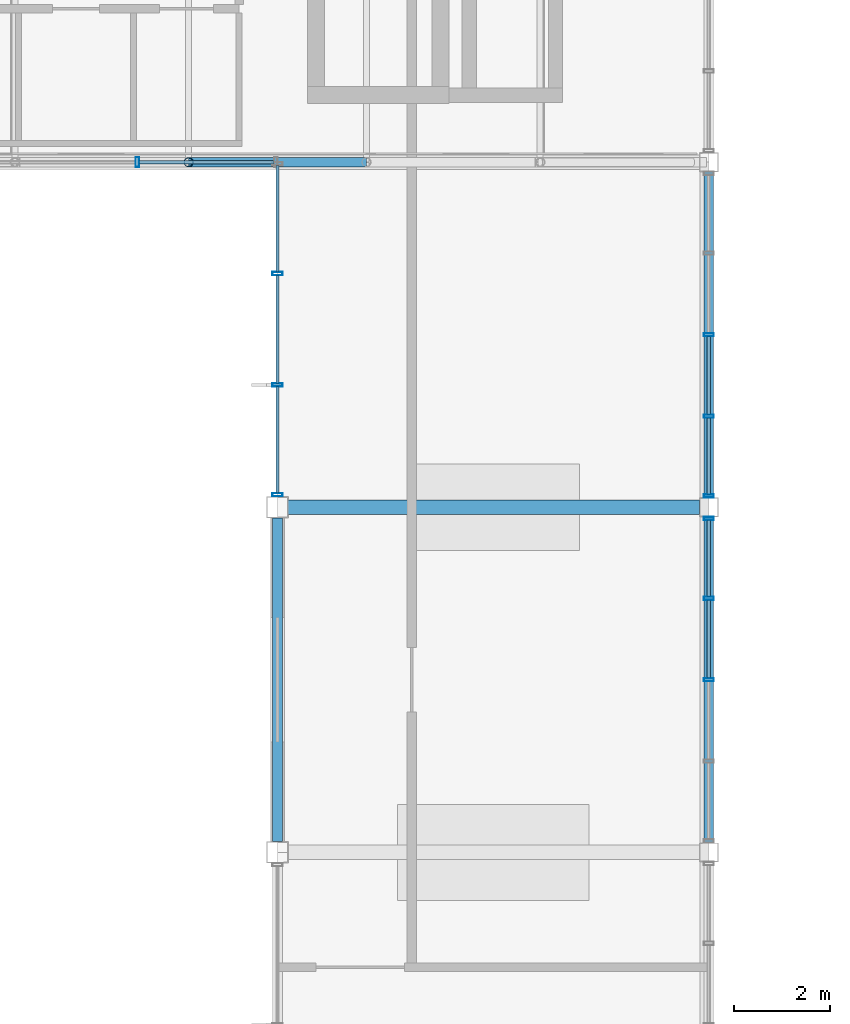
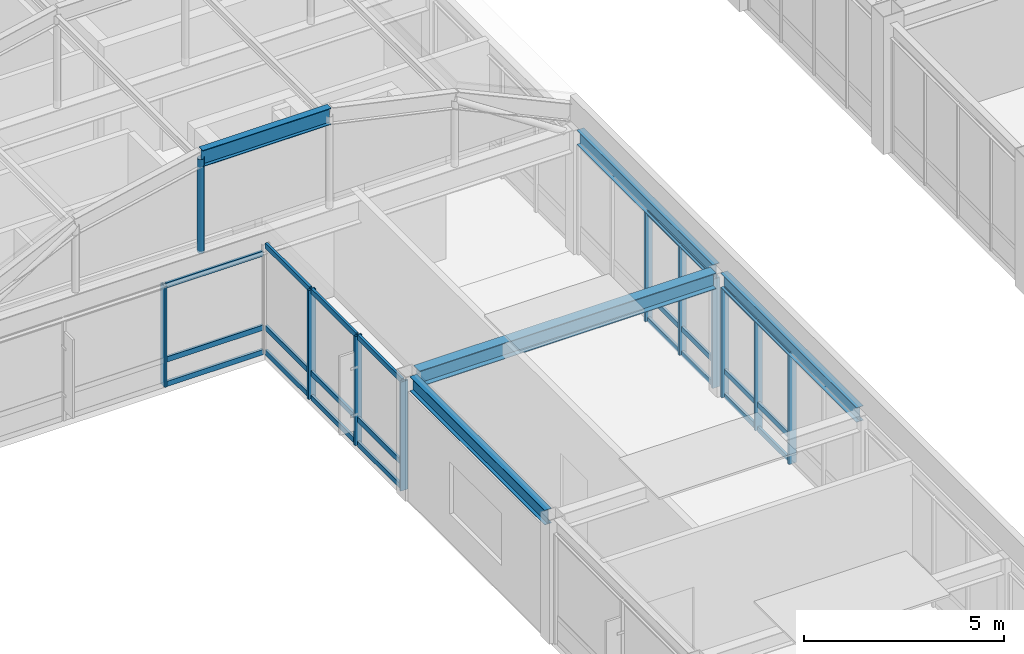
# One storey, part 41 of 106: 36 members, 4 beams, 4 elements without a shape of their own.
"""IFC4 building model written with IfcOpenShell, lengths in metres."""

from ifc_helpers import new_model, si_unit, direction, frame, origin, origin_2d, place, context, subcontext, project, spatial, hollow_rectangle, hollow_circle, i_section, extrude, material, material_profile, profile_set, type_object, element, aggregate, save


model = new_model("IFC4")

# Units and contexts
model_context = context("Model", 3, precision=1e-05, world=origin(), true_north=direction((0.0, 1.0)))
body_context = subcontext(model_context, "Body", "Model", "MODEL_VIEW")
ifc_project = project(units=[si_unit("LENGTHUNIT", "METRE"), si_unit("AREAUNIT", "SQUARE_METRE"), si_unit("VOLUMEUNIT", "CUBIC_METRE"), si_unit("PLANEANGLEUNIT", "RADIAN"), si_unit("MASSUNIT", "GRAM", prefix="KILO")], contexts=[model_context])

# Site, building, storey
site_placement = place(None, origin())
site = spatial("IfcSite", under=ifc_project, at=site_placement, CompositionType="ELEMENT")
building_placement = place(site_placement, origin())
building = spatial("IfcBuilding", under=site, at=building_placement, Name="Kazanami Central Library", CompositionType="ELEMENT")
storey_placement = place(building_placement, frame((0.0, 0.0, 12.800048828125)))
storey = spatial("IfcBuildingStorey", under=building, at=storey_placement, Name="L04", CompositionType="ELEMENT", Elevation=12.800048828125)

# Beams
ifc_material_1 = material(Name="Steel SN490B (325 MPa)", Category="steel")
ifc_material_profile_1 = material_profile(ifc_material_1, i_section(OverallWidth=0.300048828125, OverallDepth=0.488037109375, WebThickness=0.010986328125, FlangeThickness=0.01806640625, at=origin_2d()), Name="H-488x300x11x18")
ifc_profile_set_1 = profile_set([ifc_material_profile_1], Name="Steel SN490B (325 MPa)")
beam_type_1 = type_object("IfcBeamType", Name="BM-G-X5", PredefinedType="BEAM", material=ifc_profile_set_1)
beam_1_placement = place(storey_placement, frame((99.222900390625, 57.60009765625, 3.535888671875), z_axis=(1.0, 0.0, 0.0), x_axis=(0.0, 1.0, 0.0)))
element("IfcBeam", 1, at=beam_1_placement, inside=storey, type_object=beam_type_1, Name="Girder G-X5 L04 J/12-13", PredefinedType="BEAM", context=body_context, shape_type="SweptSolid", body=[
    extrude(i_section(OverallWidth=0.300048828125, OverallDepth=0.488037109375, WebThickness=0.010986328125, FlangeThickness=0.01806640625, at=origin_2d()), origin(), (0.0, 0.0, 1.0), 8.5791015625),
])
ifc_material_profile_2 = material_profile(ifc_material_1, i_section(OverallWidth=0.199951171875, OverallDepth=0.449951171875, WebThickness=0.009033203125, FlangeThickness=0.013916015625, at=origin_2d()), Name="H-450x200x9x14")
ifc_profile_set_2 = profile_set([ifc_material_profile_2], Name="Steel SN490B (325 MPa)")
beam_type_2 = type_object("IfcBeamType", Name="BM-SP-2", PredefinedType="SPANDREL", material=ifc_profile_set_2)
beam_2_placement = place(storey_placement, frame((99.0, 50.623046875, 3.554931640625), z_axis=(0.0, 1.0, 0.0), x_axis=(-1.0, 0.0, 0.0)))
element("IfcBeam", 2, at=beam_2_placement, inside=storey, type_object=beam_type_2, Name="Girder SP-2 L04 12/H-J", PredefinedType="SPANDREL", context=body_context, shape_type="SweptSolid", body=[
    extrude(i_section(OverallWidth=0.199951171875, OverallDepth=0.449951171875, WebThickness=0.009033203125, FlangeThickness=0.013916015625, at=origin_2d()), origin(), (0.0, 0.0, 1.0), 6.75390625),
])
beam_3_placement = place(storey_placement, frame((108.0, 50.597900390625, 3.554931640625), z_axis=(0.0, 1.0, 0.0), x_axis=(-1.0, 0.0, 0.0)))
element("IfcBeam", 3, at=beam_3_placement, inside=storey, type_object=beam_type_2, Name="Girder SP-2 L04 13/H-J", PredefinedType="SPANDREL", context=body_context, shape_type="SweptSolid", body=[
    extrude(i_section(OverallWidth=0.199951171875, OverallDepth=0.449951171875, WebThickness=0.009033203125, FlangeThickness=0.013916015625, at=origin_2d()), origin(), (0.0, 0.0, 1.0), 6.80419921875),
])
beam_4_placement = place(storey_placement, frame((108.0, 57.798095703125, 3.554931640625), z_axis=(0.0, 1.0, 0.0), x_axis=(-1.0, 0.0, 0.0)))
element("IfcBeam", 4, at=beam_4_placement, inside=storey, type_object=beam_type_2, Name="Girder SP-2 L04 13/J-K", PredefinedType="SPANDREL", context=body_context, shape_type="SweptSolid", body=[
    extrude(i_section(OverallWidth=0.199951171875, OverallDepth=0.449951171875, WebThickness=0.009033203125, FlangeThickness=0.013916015625, at=origin_2d()), origin(), (0.0, 0.0, 1.0), 6.803955078125),
])

# Member
ifc_material_profile_3 = material_profile(ifc_material_1, i_section(OverallWidth=0.199951171875, OverallDepth=0.5, WebThickness=0.010009765625, FlangeThickness=0.01611328125, at=origin_2d()), Name="H-500x200x10x16")
ifc_profile_set_3 = profile_set([ifc_material_profile_3], Name="Steel SN490B (325 MPa)")
member_type_1 = type_object("IfcMemberType", Name="MEM-AR-02", PredefinedType="CHORD", material=ifc_profile_set_3)
member_1_placement = place(storey_placement, frame((97.14453125, 64.800048828125, 6.604736328125), z_axis=(1.0, 0.0, 0.0), x_axis=(0.0, 1.0, 0.0)))
element("IfcMember", 5, at=member_1_placement, inside=storey, type_object=member_type_1, Name="Barrel Vault Arch Rib AR-02 VAULT-EAST Grid K Seg 3", PredefinedType="CHORD", context=body_context, shape_type="SweptSolid", body=[
    extrude(i_section(OverallWidth=0.199951171875, OverallDepth=0.5, WebThickness=0.010009765625, FlangeThickness=0.01611328125, at=origin_2d()), origin(), (0.0, 0.0, 1.0), 3.7109375),
])

# Curtain wall, member
ifc_material_2 = material(Name="Acid-Etched Low-E Laminated Glass", Category="glass")
curtain_wall_type_1 = type_object("IfcCurtainWallType", Name="CW-8775x3080-M275", PredefinedType="USERDEFINED", material=ifc_material_2)
curtain_wall_1_placement = place(storey_placement, origin())
curtain_wall_1 = element("IfcCurtainWall", 6, at=curtain_wall_1_placement, inside=storey, type_object=curtain_wall_type_1, Name="Unitised Curtain Wall CW-40 L04 S-K-10", ObjectType="UNITISED CURTAIN WALL", PredefinedType="USERDEFINED")
ifc_material_3 = material(Name="Anodised Aluminium A6063-T5", Category="aluminium")
ifc_material_profile_4 = material_profile(ifc_material_3, hollow_rectangle(XDim=0.070068359375, YDim=0.2099609375, WallThickness=0.0048828125, at=origin_2d()), Name="ALU-MULL-70x210x5")
ifc_profile_set_4 = profile_set([ifc_material_profile_4], Name="Anodised Aluminium A6063-T5")
member_type_2 = type_object("IfcMemberType", Name="MEM-CW-M1", PredefinedType="MULLION", material=ifc_profile_set_4)
member_2_placement = place(storey_placement, frame((96.074951171875, 64.800048828125, 0.0), z_axis=(0.0, 0.0, 1.0), x_axis=(1.0, 0.0, 0.0)))
member_2 = element("IfcMember", 7, at=member_2_placement, type_object=member_type_2, Name="CW-40 mullion 3", PredefinedType="MULLION", context=body_context, shape_type="SweptSolid", body=[
    extrude(hollow_rectangle(XDim=0.070068359375, YDim=0.2099609375, WallThickness=0.0048828125, at=origin_2d()), origin(), (0.0, 0.0, 1.0), 3.079833984375),
])

# Curtain wall, members
curtain_wall_type_2 = type_object("IfcCurtainWallType", Name="CW-6975x3330-M275", PredefinedType="USERDEFINED", material=ifc_material_2)
curtain_wall_2_placement = place(storey_placement, origin())
curtain_wall_2 = element("IfcCurtainWall", 8, at=curtain_wall_2_placement, inside=storey, type_object=curtain_wall_type_2, Name="Unitised Curtain Wall CW-46 L04 W-12-08", ObjectType="UNITISED CURTAIN WALL", PredefinedType="USERDEFINED")
member_3_placement = place(storey_placement, frame((99.0, 57.860107421875, 0.0), z_axis=(0.0, 0.0, 1.0), x_axis=(0.0, 1.0, 0.0)))
member_3 = element("IfcMember", 9, at=member_3_placement, type_object=member_type_2, Name="CW-46 mullion 1", PredefinedType="MULLION", context=body_context, shape_type="SweptSolid", body=[
    extrude(hollow_rectangle(XDim=0.070068359375, YDim=0.2099609375, WallThickness=0.0048828125, at=origin_2d()), origin(), (0.0, 0.0, 1.0), 3.329833984375),
])
member_4_placement = place(storey_placement, frame((99.0, 60.14990234375, 0.0), z_axis=(0.0, 0.0, 1.0), x_axis=(0.0, 1.0, 0.0)))
member_4 = element("IfcMember", 10, at=member_4_placement, type_object=member_type_2, Name="CW-46 mullion 2", PredefinedType="MULLION", context=body_context, shape_type="SweptSolid", body=[
    extrude(hollow_rectangle(XDim=0.070068359375, YDim=0.2099609375, WallThickness=0.0048828125, at=origin_2d()), origin(), (0.0, 0.0, 1.0), 3.329833984375),
])
member_5_placement = place(storey_placement, frame((99.0, 62.47509765625, 0.0), z_axis=(0.0, 0.0, 1.0), x_axis=(0.0, 1.0, 0.0)))
member_5 = element("IfcMember", 11, at=member_5_placement, type_object=member_type_2, Name="CW-46 mullion 3", PredefinedType="MULLION", context=body_context, shape_type="SweptSolid", body=[
    extrude(hollow_rectangle(XDim=0.070068359375, YDim=0.2099609375, WallThickness=0.0048828125, at=origin_2d()), origin(), (0.0, 0.0, 1.0), 3.329833984375),
])

curtain_wall_type_3 = type_object("IfcCurtainWallType", Name="CW-6800x3330-M180", PredefinedType="USERDEFINED", material=ifc_material_2)
curtain_wall_3_placement = place(storey_placement, origin())
curtain_wall_3 = element("IfcCurtainWall", 12, at=curtain_wall_3_placement, inside=storey, type_object=curtain_wall_type_3, Name="Covered Link Bridge Curtain Wall CW-44 L04 E-13-07", ObjectType="UNITISED CURTAIN WALL", PredefinedType="USERDEFINED")
member_6_placement = place(storey_placement, frame((108.0, 57.364990234375, 0.0), z_axis=(0.0, 0.0, 1.0), x_axis=(0.0, -1.0, 0.0)))
member_6 = element("IfcMember", 13, at=member_6_placement, type_object=member_type_2, Name="CW-44 mullion 1", PredefinedType="MULLION", context=body_context, shape_type="SweptSolid", body=[
    extrude(hollow_rectangle(XDim=0.070068359375, YDim=0.2099609375, WallThickness=0.0048828125, at=origin_2d()), origin(), (0.0, 0.0, 1.0), 3.329833984375),
])
member_7_placement = place(storey_placement, frame((108.0, 55.699951171875, 0.0), z_axis=(0.0, 0.0, 1.0), x_axis=(0.0, -1.0, 0.0)))
member_7 = element("IfcMember", 14, at=member_7_placement, type_object=member_type_2, Name="CW-44 mullion 2", PredefinedType="MULLION", context=body_context, shape_type="SweptSolid", body=[
    extrude(hollow_rectangle(XDim=0.070068359375, YDim=0.2099609375, WallThickness=0.0048828125, at=origin_2d()), origin(), (0.0, 0.0, 1.0), 3.329833984375),
])
member_8_placement = place(storey_placement, frame((108.0, 54.0, 0.0), z_axis=(0.0, 0.0, 1.0), x_axis=(0.0, -1.0, 0.0)))
member_8 = element("IfcMember", 15, at=member_8_placement, type_object=member_type_2, Name="CW-44 mullion 3", PredefinedType="MULLION", context=body_context, shape_type="SweptSolid", body=[
    extrude(hollow_rectangle(XDim=0.070068359375, YDim=0.2099609375, WallThickness=0.0048828125, at=origin_2d()), origin(), (0.0, 0.0, 1.0), 3.329833984375),
])

curtain_wall_4_placement = place(storey_placement, origin())
curtain_wall_4 = element("IfcCurtainWall", 16, at=curtain_wall_4_placement, inside=storey, type_object=curtain_wall_type_3, Name="Covered Link Bridge Curtain Wall CW-44 L04 E-13-08", ObjectType="UNITISED CURTAIN WALL", PredefinedType="USERDEFINED")
member_9_placement = place(storey_placement, frame((108.0, 61.199951171875, 0.0), z_axis=(0.0, 0.0, 1.0), x_axis=(0.0, -1.0, 0.0)))
member_9 = element("IfcMember", 17, at=member_9_placement, type_object=member_type_2, Name="CW-44 mullion 3", PredefinedType="MULLION", context=body_context, shape_type="SweptSolid", body=[
    extrude(hollow_rectangle(XDim=0.070068359375, YDim=0.2099609375, WallThickness=0.0048828125, at=origin_2d()), origin(), (0.0, 0.0, 1.0), 3.329833984375),
])
member_10_placement = place(storey_placement, frame((108.0, 59.5, 0.0), z_axis=(0.0, 0.0, 1.0), x_axis=(0.0, -1.0, 0.0)))
member_10 = element("IfcMember", 18, at=member_10_placement, type_object=member_type_2, Name="CW-44 mullion 4", PredefinedType="MULLION", context=body_context, shape_type="SweptSolid", body=[
    extrude(hollow_rectangle(XDim=0.070068359375, YDim=0.2099609375, WallThickness=0.0048828125, at=origin_2d()), origin(), (0.0, 0.0, 1.0), 3.329833984375),
])
member_11_placement = place(storey_placement, frame((108.0, 57.8349609375, 0.0), z_axis=(0.0, 0.0, 1.0), x_axis=(0.0, -1.0, 0.0)))
member_11 = element("IfcMember", 19, at=member_11_placement, type_object=member_type_2, Name="CW-44 mullion 5", PredefinedType="MULLION", context=body_context, shape_type="SweptSolid", body=[
    extrude(hollow_rectangle(XDim=0.070068359375, YDim=0.2099609375, WallThickness=0.0048828125, at=origin_2d()), origin(), (0.0, 0.0, 1.0), 3.329833984375),
])

# Member
ifc_material_profile_5 = material_profile(ifc_material_3, hollow_rectangle(XDim=0.070068359375, YDim=0.159912109375, WallThickness=0.00390625, at=origin_2d()), Name="ALU-TRAN-70x160x4")
ifc_profile_set_5 = profile_set([ifc_material_profile_5], Name="Anodised Aluminium A6063-T5")
member_type_3 = type_object("IfcMemberType", Name="MEM-CW-T1", PredefinedType="USERDEFINED", material=ifc_profile_set_5)
member_12_placement = place(storey_placement, frame((96.110107421875, 64.800048828125, 0.034912109375), z_axis=(1.0, 0.0, 0.0), x_axis=(0.0, 1.0, 0.0)))
member_12 = element("IfcMember", 20, at=member_12_placement, type_object=member_type_3, Name="CW-40 transom 3.1", ObjectType="TRANSOM", PredefinedType="USERDEFINED", context=body_context, shape_type="SweptSolid", body=[
    extrude(hollow_rectangle(XDim=0.070068359375, YDim=0.159912109375, WallThickness=0.00390625, at=origin_2d()), origin(), (0.0, 0.0, 1.0), 2.81982421875),
])

member_13_placement = place(storey_placement, frame((96.110107421875, 64.800048828125, 0.780029296875), z_axis=(1.0, 0.0, 0.0), x_axis=(0.0, 1.0, 0.0)))
member_13 = element("IfcMember", 21, at=member_13_placement, type_object=member_type_3, Name="CW-40 transom 3.2", ObjectType="TRANSOM", PredefinedType="USERDEFINED", context=body_context, shape_type="SweptSolid", body=[
    extrude(hollow_rectangle(XDim=0.070068359375, YDim=0.159912109375, WallThickness=0.00390625, at=origin_2d()), origin(), (0.0, 0.0, 1.0), 2.81982421875),
])

member_14_placement = place(storey_placement, frame((96.110107421875, 64.800048828125, 3.044921875), z_axis=(1.0, 0.0, 0.0), x_axis=(0.0, 1.0, 0.0)))
member_14 = element("IfcMember", 22, at=member_14_placement, type_object=member_type_3, Name="CW-40 transom 3.3", ObjectType="TRANSOM", PredefinedType="USERDEFINED", context=body_context, shape_type="SweptSolid", body=[
    extrude(hollow_rectangle(XDim=0.070068359375, YDim=0.159912109375, WallThickness=0.00390625, at=origin_2d()), origin(), (0.0, 0.0, 1.0), 2.81982421875),
])

aggregate(curtain_wall_1, [member_2, member_12, member_13, member_14])

member_15_placement = place(storey_placement, frame((99.0, 57.89501953125, 0.034912109375), z_axis=(0.0, 1.0, 0.0), x_axis=(-1.0, 0.0, 0.0)))
member_15 = element("IfcMember", 23, at=member_15_placement, type_object=member_type_3, Name="CW-46 transom 1.1", ObjectType="TRANSOM", PredefinedType="USERDEFINED", context=body_context, shape_type="SweptSolid", body=[
    extrude(hollow_rectangle(XDim=0.070068359375, YDim=0.159912109375, WallThickness=0.00390625, at=origin_2d()), origin(), (0.0, 0.0, 1.0), 2.219970703125),
])

member_16_placement = place(storey_placement, frame((99.0, 57.89501953125, 0.780029296875), z_axis=(0.0, 1.0, 0.0), x_axis=(-1.0, 0.0, 0.0)))
member_16 = element("IfcMember", 24, at=member_16_placement, type_object=member_type_3, Name="CW-46 transom 1.2", ObjectType="TRANSOM", PredefinedType="USERDEFINED", context=body_context, shape_type="SweptSolid", body=[
    extrude(hollow_rectangle(XDim=0.070068359375, YDim=0.159912109375, WallThickness=0.00390625, at=origin_2d()), origin(), (0.0, 0.0, 1.0), 2.219970703125),
])

member_17_placement = place(storey_placement, frame((99.0, 57.89501953125, 3.294921875), z_axis=(0.0, 1.0, 0.0), x_axis=(-1.0, 0.0, 0.0)))
member_17 = element("IfcMember", 25, at=member_17_placement, type_object=member_type_3, Name="CW-46 transom 1.3", ObjectType="TRANSOM", PredefinedType="USERDEFINED", context=body_context, shape_type="SweptSolid", body=[
    extrude(hollow_rectangle(XDim=0.070068359375, YDim=0.159912109375, WallThickness=0.00390625, at=origin_2d()), origin(), (0.0, 0.0, 1.0), 2.219970703125),
])

member_18_placement = place(storey_placement, frame((99.0, 60.18505859375, 0.034912109375), z_axis=(0.0, 1.0, 0.0), x_axis=(-1.0, 0.0, 0.0)))
member_18 = element("IfcMember", 26, at=member_18_placement, type_object=member_type_3, Name="CW-46 transom 2.1", ObjectType="TRANSOM", PredefinedType="USERDEFINED", context=body_context, shape_type="SweptSolid", body=[
    extrude(hollow_rectangle(XDim=0.070068359375, YDim=0.159912109375, WallThickness=0.00390625, at=origin_2d()), origin(), (0.0, 0.0, 1.0), 2.2548828125),
])

member_19_placement = place(storey_placement, frame((99.0, 60.18505859375, 0.780029296875), z_axis=(0.0, 1.0, 0.0), x_axis=(-1.0, 0.0, 0.0)))
member_19 = element("IfcMember", 27, at=member_19_placement, type_object=member_type_3, Name="CW-46 transom 2.2", ObjectType="TRANSOM", PredefinedType="USERDEFINED", context=body_context, shape_type="SweptSolid", body=[
    extrude(hollow_rectangle(XDim=0.070068359375, YDim=0.159912109375, WallThickness=0.00390625, at=origin_2d()), origin(), (0.0, 0.0, 1.0), 2.2548828125),
])

member_20_placement = place(storey_placement, frame((99.0, 60.18505859375, 3.294921875), z_axis=(0.0, 1.0, 0.0), x_axis=(-1.0, 0.0, 0.0)))
member_20 = element("IfcMember", 28, at=member_20_placement, type_object=member_type_3, Name="CW-46 transom 2.3", ObjectType="TRANSOM", PredefinedType="USERDEFINED", context=body_context, shape_type="SweptSolid", body=[
    extrude(hollow_rectangle(XDim=0.070068359375, YDim=0.159912109375, WallThickness=0.00390625, at=origin_2d()), origin(), (0.0, 0.0, 1.0), 2.2548828125),
])

member_21_placement = place(storey_placement, frame((99.0, 62.510009765625, 0.034912109375), z_axis=(0.0, 1.0, 0.0), x_axis=(-1.0, 0.0, 0.0)))
member_21 = element("IfcMember", 29, at=member_21_placement, type_object=member_type_3, Name="CW-46 transom 3.1", ObjectType="TRANSOM", PredefinedType="USERDEFINED", context=body_context, shape_type="SweptSolid", body=[
    extrude(hollow_rectangle(XDim=0.070068359375, YDim=0.159912109375, WallThickness=0.00390625, at=origin_2d()), origin(), (0.0, 0.0, 1.0), 2.219970703125),
])

member_22_placement = place(storey_placement, frame((99.0, 62.510009765625, 0.780029296875), z_axis=(0.0, 1.0, 0.0), x_axis=(-1.0, 0.0, 0.0)))
member_22 = element("IfcMember", 30, at=member_22_placement, type_object=member_type_3, Name="CW-46 transom 3.2", ObjectType="TRANSOM", PredefinedType="USERDEFINED", context=body_context, shape_type="SweptSolid", body=[
    extrude(hollow_rectangle(XDim=0.070068359375, YDim=0.159912109375, WallThickness=0.00390625, at=origin_2d()), origin(), (0.0, 0.0, 1.0), 2.219970703125),
])

member_23_placement = place(storey_placement, frame((99.0, 62.510009765625, 3.294921875), z_axis=(0.0, 1.0, 0.0), x_axis=(-1.0, 0.0, 0.0)))
member_23 = element("IfcMember", 31, at=member_23_placement, type_object=member_type_3, Name="CW-46 transom 3.3", ObjectType="TRANSOM", PredefinedType="USERDEFINED", context=body_context, shape_type="SweptSolid", body=[
    extrude(hollow_rectangle(XDim=0.070068359375, YDim=0.159912109375, WallThickness=0.00390625, at=origin_2d()), origin(), (0.0, 0.0, 1.0), 2.219970703125),
])

aggregate(curtain_wall_2, [member_3, member_4, member_5, member_15, member_16, member_17, member_18, member_19, member_20, member_21, member_22, member_23])

member_24_placement = place(storey_placement, frame((108.0, 57.330078125, 0.034912109375), z_axis=(0.0, -1.0, 0.0), x_axis=(1.0, 0.0, 0.0)))
member_24 = element("IfcMember", 32, at=member_24_placement, type_object=member_type_3, Name="CW-44 transom 1.1", ObjectType="TRANSOM", PredefinedType="USERDEFINED", context=body_context, shape_type="SweptSolid", body=[
    extrude(hollow_rectangle(XDim=0.070068359375, YDim=0.159912109375, WallThickness=0.00390625, at=origin_2d()), origin(), (0.0, 0.0, 1.0), 1.594970703125),
])

member_25_placement = place(storey_placement, frame((108.0, 57.330078125, 0.780029296875), z_axis=(0.0, -1.0, 0.0), x_axis=(1.0, 0.0, 0.0)))
member_25 = element("IfcMember", 33, at=member_25_placement, type_object=member_type_3, Name="CW-44 transom 1.2", ObjectType="TRANSOM", PredefinedType="USERDEFINED", context=body_context, shape_type="SweptSolid", body=[
    extrude(hollow_rectangle(XDim=0.070068359375, YDim=0.159912109375, WallThickness=0.00390625, at=origin_2d()), origin(), (0.0, 0.0, 1.0), 1.594970703125),
])

member_26_placement = place(storey_placement, frame((108.0, 57.330078125, 3.294921875), z_axis=(0.0, -1.0, 0.0), x_axis=(1.0, 0.0, 0.0)))
member_26 = element("IfcMember", 34, at=member_26_placement, type_object=member_type_3, Name="CW-44 transom 1.3", ObjectType="TRANSOM", PredefinedType="USERDEFINED", context=body_context, shape_type="SweptSolid", body=[
    extrude(hollow_rectangle(XDim=0.070068359375, YDim=0.159912109375, WallThickness=0.00390625, at=origin_2d()), origin(), (0.0, 0.0, 1.0), 1.594970703125),
])

member_27_placement = place(storey_placement, frame((108.0, 55.6650390625, 0.034912109375), z_axis=(0.0, -1.0, 0.0), x_axis=(1.0, 0.0, 0.0)))
member_27 = element("IfcMember", 35, at=member_27_placement, type_object=member_type_3, Name="CW-44 transom 2.1", ObjectType="TRANSOM", PredefinedType="USERDEFINED", context=body_context, shape_type="SweptSolid", body=[
    extrude(hollow_rectangle(XDim=0.070068359375, YDim=0.159912109375, WallThickness=0.00390625, at=origin_2d()), origin(), (0.0, 0.0, 1.0), 1.630126953125),
])

member_28_placement = place(storey_placement, frame((108.0, 55.6650390625, 0.780029296875), z_axis=(0.0, -1.0, 0.0), x_axis=(1.0, 0.0, 0.0)))
member_28 = element("IfcMember", 36, at=member_28_placement, type_object=member_type_3, Name="CW-44 transom 2.2", ObjectType="TRANSOM", PredefinedType="USERDEFINED", context=body_context, shape_type="SweptSolid", body=[
    extrude(hollow_rectangle(XDim=0.070068359375, YDim=0.159912109375, WallThickness=0.00390625, at=origin_2d()), origin(), (0.0, 0.0, 1.0), 1.630126953125),
])

member_29_placement = place(storey_placement, frame((108.0, 55.6650390625, 3.294921875), z_axis=(0.0, -1.0, 0.0), x_axis=(1.0, 0.0, 0.0)))
member_29 = element("IfcMember", 37, at=member_29_placement, type_object=member_type_3, Name="CW-44 transom 2.3", ObjectType="TRANSOM", PredefinedType="USERDEFINED", context=body_context, shape_type="SweptSolid", body=[
    extrude(hollow_rectangle(XDim=0.070068359375, YDim=0.159912109375, WallThickness=0.00390625, at=origin_2d()), origin(), (0.0, 0.0, 1.0), 1.630126953125),
])

aggregate(curtain_wall_3, [member_6, member_7, member_8, member_24, member_25, member_26, member_27, member_28, member_29])

member_30_placement = place(storey_placement, frame((108.0, 61.1650390625, 0.034912109375), z_axis=(0.0, -1.0, 0.0), x_axis=(1.0, 0.0, 0.0)))
member_30 = element("IfcMember", 38, at=member_30_placement, type_object=member_type_3, Name="CW-44 transom 3.1", ObjectType="TRANSOM", PredefinedType="USERDEFINED", context=body_context, shape_type="SweptSolid", body=[
    extrude(hollow_rectangle(XDim=0.070068359375, YDim=0.159912109375, WallThickness=0.00390625, at=origin_2d()), origin(), (0.0, 0.0, 1.0), 1.630126953125),
])

member_31_placement = place(storey_placement, frame((108.0, 61.1650390625, 0.780029296875), z_axis=(0.0, -1.0, 0.0), x_axis=(1.0, 0.0, 0.0)))
member_31 = element("IfcMember", 39, at=member_31_placement, type_object=member_type_3, Name="CW-44 transom 3.2", ObjectType="TRANSOM", PredefinedType="USERDEFINED", context=body_context, shape_type="SweptSolid", body=[
    extrude(hollow_rectangle(XDim=0.070068359375, YDim=0.159912109375, WallThickness=0.00390625, at=origin_2d()), origin(), (0.0, 0.0, 1.0), 1.630126953125),
])

member_32_placement = place(storey_placement, frame((108.0, 61.1650390625, 3.294921875), z_axis=(0.0, -1.0, 0.0), x_axis=(1.0, 0.0, 0.0)))
member_32 = element("IfcMember", 40, at=member_32_placement, type_object=member_type_3, Name="CW-44 transom 3.3", ObjectType="TRANSOM", PredefinedType="USERDEFINED", context=body_context, shape_type="SweptSolid", body=[
    extrude(hollow_rectangle(XDim=0.070068359375, YDim=0.159912109375, WallThickness=0.00390625, at=origin_2d()), origin(), (0.0, 0.0, 1.0), 1.630126953125),
])

member_33_placement = place(storey_placement, frame((108.0, 59.465087890625, 0.034912109375), z_axis=(0.0, -1.0, 0.0), x_axis=(1.0, 0.0, 0.0)))
member_33 = element("IfcMember", 41, at=member_33_placement, type_object=member_type_3, Name="CW-44 transom 4.1", ObjectType="TRANSOM", PredefinedType="USERDEFINED", context=body_context, shape_type="SweptSolid", body=[
    extrude(hollow_rectangle(XDim=0.070068359375, YDim=0.159912109375, WallThickness=0.00390625, at=origin_2d()), origin(), (0.0, 0.0, 1.0), 1.594970703125),
])

member_34_placement = place(storey_placement, frame((108.0, 59.465087890625, 0.780029296875), z_axis=(0.0, -1.0, 0.0), x_axis=(1.0, 0.0, 0.0)))
member_34 = element("IfcMember", 42, at=member_34_placement, type_object=member_type_3, Name="CW-44 transom 4.2", ObjectType="TRANSOM", PredefinedType="USERDEFINED", context=body_context, shape_type="SweptSolid", body=[
    extrude(hollow_rectangle(XDim=0.070068359375, YDim=0.159912109375, WallThickness=0.00390625, at=origin_2d()), origin(), (0.0, 0.0, 1.0), 1.594970703125),
])

member_35_placement = place(storey_placement, frame((108.0, 59.465087890625, 3.294921875), z_axis=(0.0, -1.0, 0.0), x_axis=(1.0, 0.0, 0.0)))
member_35 = element("IfcMember", 43, at=member_35_placement, type_object=member_type_3, Name="CW-44 transom 4.3", ObjectType="TRANSOM", PredefinedType="USERDEFINED", context=body_context, shape_type="SweptSolid", body=[
    extrude(hollow_rectangle(XDim=0.070068359375, YDim=0.159912109375, WallThickness=0.00390625, at=origin_2d()), origin(), (0.0, 0.0, 1.0), 1.594970703125),
])

aggregate(curtain_wall_4, [member_9, member_10, member_11, member_30, member_31, member_32, member_33, member_34, member_35])

ifc_material_4 = material(Name="Steel STK490 (315 MPa)", Category="steel")
ifc_material_profile_6 = material_profile(ifc_material_4, hollow_circle(Radius=0.095458984375, WallThickness=0.007080078125, at=origin_2d()), Name="CHS-190.7x7.0")
ifc_profile_set_6 = profile_set([ifc_material_profile_6], Name="Steel STK490 (315 MPa)")
member_type_4 = type_object("IfcMemberType", Name="MEM-VST-190", PredefinedType="STRUT", material=ifc_profile_set_6)
member_36_placement = place(storey_placement, frame((97.14453125, 64.800048828125, 3.71484375), z_axis=(0.0, 0.0, 1.0), x_axis=(1.0, 0.0, 0.0)))
element("IfcMember", 44, at=member_36_placement, inside=storey, type_object=member_type_4, Name="Barrel Vault Tied-Arch Web Strut VAULT-EAST Grid K Knuckle 2", PredefinedType="STRUT", context=body_context, shape_type="SweptSolid", body=[
    extrude(hollow_circle(Radius=0.095458984375, WallThickness=0.007080078125, at=origin_2d()), origin(), (0.0, 0.0, 1.0), 2.869873046875),
])

save(model, "model.ifc")
